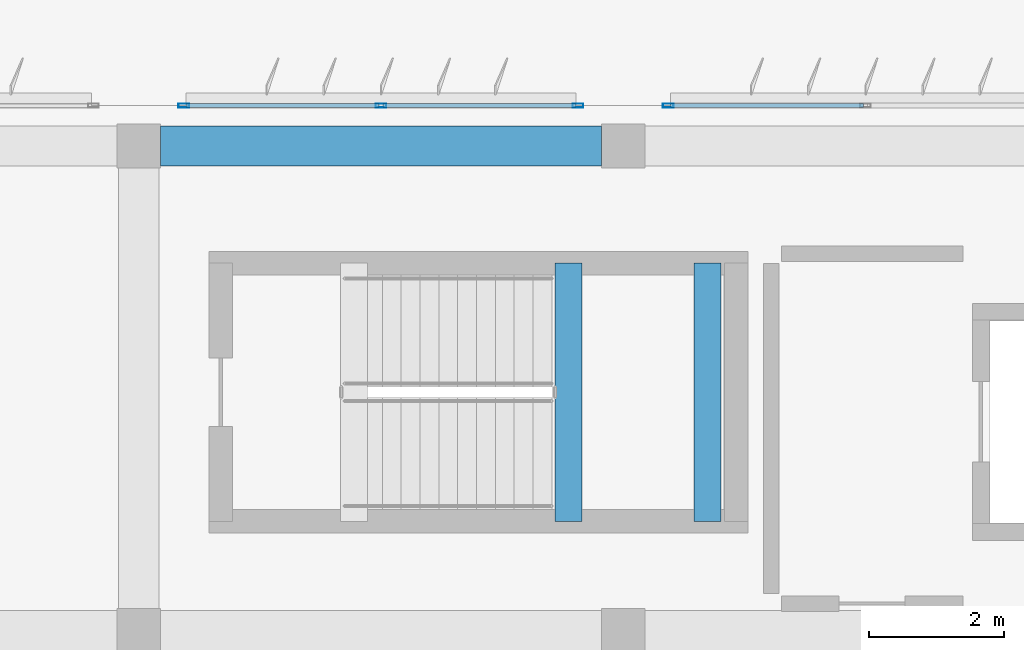
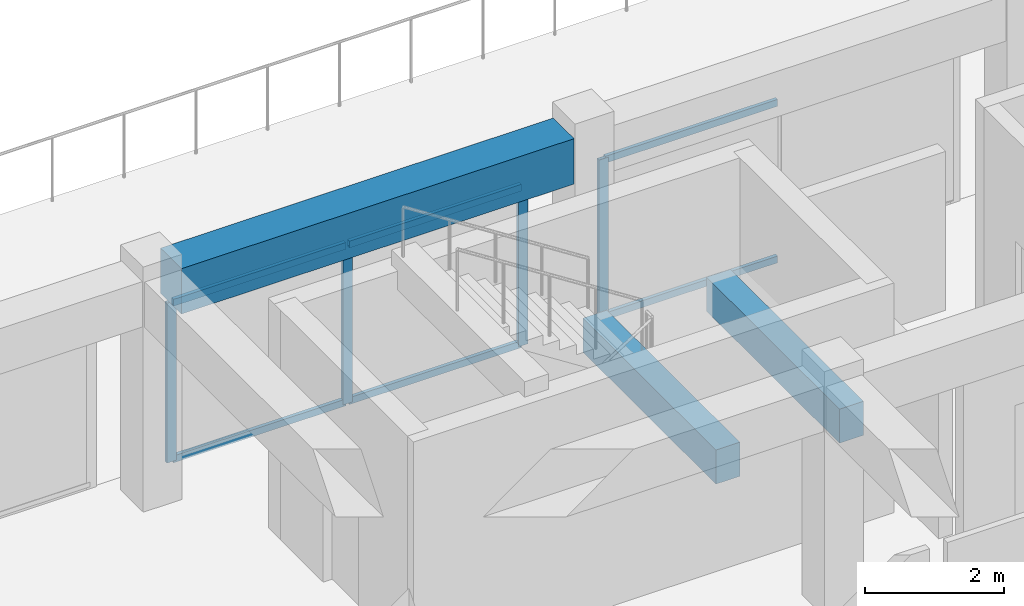
# One storey, part 11 of 42: 10 members, 3 beams, 2 elements without a shape of their own.
"""IFC4 building model written with IfcOpenShell, lengths in metres."""

from ifc_helpers import new_model, si_unit, direction, frame, origin, origin_2d, place, context, subcontext, project, spatial, rectangle, hollow_rectangle, extrude, material, material_profile, profile_set, type_object, element, aggregate, save


model = new_model("IFC4")

# Units and contexts
model_context = context("Model", 3, precision=1e-05, world=origin(), true_north=direction((0.0, 1.0)))
body_context = subcontext(model_context, "Body", "Model", "MODEL_VIEW")
ifc_project = project(units=[si_unit("LENGTHUNIT", "METRE"), si_unit("AREAUNIT", "SQUARE_METRE"), si_unit("VOLUMEUNIT", "CUBIC_METRE"), si_unit("PLANEANGLEUNIT", "RADIAN"), si_unit("MASSUNIT", "GRAM", prefix="KILO")], contexts=[model_context])

# Site, building, storey
site_placement = place(None, origin())
site = spatial("IfcSite", under=ifc_project, at=site_placement, CompositionType="ELEMENT")
building_placement = place(site_placement, origin())
building = spatial("IfcBuilding", under=site, at=building_placement, Name="Kazehaya Institute of Natural Sciences", CompositionType="ELEMENT")
storey_placement = place(building_placement, frame((0.0, 0.0, 37.6201171875)))
storey = spatial("IfcBuildingStorey", under=building, at=storey_placement, Name="L08", CompositionType="ELEMENT", Elevation=37.6201171875)

# Beams
ifc_material_1 = material(Name="Concrete Fc36", Category="concrete")
ifc_material_profile_1 = material_profile(ifc_material_1, rectangle(XDim=0.39990234375, YDim=0.60009765625, at=origin_2d()), Name="RC-400x600")
ifc_profile_set_1 = profile_set([ifc_material_profile_1], Name="Concrete Fc36")
beam_type_1 = type_object("IfcBeamType", Name="BM-B-400x600", PredefinedType="BEAM", material=ifc_profile_set_1)
for number, where, z_axis, x_axis, name in (
    (1, (68.18994140625, 22.820068359375, 1.699951171875), (0.0, 1.0, 0.0), (-1.0, 0.0, 0.0), "L08 ST-1 landing beam 1"),
    (2, (70.25, 22.820068359375, 1.699951171875), (0.0, 1.0, 0.0), (-1.0, 0.0, 0.0), "L08 ST-1 landing beam 2"),
):
    element("IfcBeam", number, at=place(storey_placement, frame(where, z_axis=z_axis, x_axis=x_axis)), inside=storey, type_object=beam_type_1, Name=name, PredefinedType="BEAM", context=body_context, shape_type="SweptSolid", body=[
        extrude(rectangle(XDim=0.39990234375, YDim=0.60009765625, at=origin_2d()), origin(), (0.0, 0.0, 1.0), 3.83984375),
    ])
ifc_material_profile_2 = material_profile(ifc_material_1, rectangle(XDim=0.60009765625, YDim=0.800048828125, at=origin_2d()), Name="RC-600x800")
ifc_profile_set_2 = profile_set([ifc_material_profile_2], Name="Concrete Fc36")
beam_type_2 = type_object("IfcBeamType", Name="BM-G-600x800", PredefinedType="BEAM", material=ifc_profile_set_2)
beam_placement = place(storey_placement, frame((62.125, 28.39990234375, 3.64990234375), z_axis=(1.0, 0.0, 0.0), x_axis=(0.0, 1.0, 0.0)))
element("IfcBeam", 3, at=beam_placement, inside=storey, type_object=beam_type_2, Name="L08 primary X girder BMX-L08-618-284", PredefinedType="BEAM", context=body_context, shape_type="SweptSolid", body=[
    extrude(rectangle(XDim=0.60009765625, YDim=0.800048828125, at=origin_2d()), origin(), (0.0, 0.0, 1.0), 6.550048828125),
])

# Curtain wall, members
ifc_material_2 = material(Name="Aluminium alloy A6063S-T5", Category="aluminium")
curtain_wall_type = type_object("IfcCurtainWallType", Name="CW-SYS-05", PredefinedType="NOTDEFINED", material=ifc_material_2)
curtain_wall_1_placement = place(storey_placement, origin())
curtain_wall_1 = element("IfcCurtainWall", 4, at=curtain_wall_1_placement, inside=storey, type_object=curtain_wall_type, Name="L08 unitised curtain wall CW-L08-186", PredefinedType="NOTDEFINED")
ifc_material_profile_3 = material_profile(ifc_material_2, hollow_rectangle(XDim=0.06005859375, YDim=0.159912109375, WallThickness=0.00390625, at=origin_2d()), Name="ALU-60x160x4")
ifc_profile_set_3 = profile_set([ifc_material_profile_3], Name="Aluminium alloy A6063S-T5")
member_type_1 = type_object("IfcMemberType", Name="CWM-160", PredefinedType="MULLION", material=ifc_profile_set_3)
member_1_placement = place(storey_placement, frame((62.469970703125, 29.0, 0.0), z_axis=(0.0, 0.0, 1.0), x_axis=(0.0, 1.0, 0.0)))
member_1 = element("IfcMember", 5, at=member_1_placement, type_object=member_type_1, Name="CW05 mullion 1", PredefinedType="MULLION", context=body_context, shape_type="SweptSolid", body=[
    extrude(hollow_rectangle(XDim=0.06005859375, YDim=0.159912109375, WallThickness=0.00390625, at=origin_2d()), origin(), (0.0, 0.0, 1.0), 2.81982421875),
])
member_2_placement = place(storey_placement, frame((65.39990234375, 29.0, 0.0), z_axis=(0.0, 0.0, 1.0), x_axis=(0.0, 1.0, 0.0)))
member_2 = element("IfcMember", 6, at=member_2_placement, type_object=member_type_1, Name="CW05 mullion 2", PredefinedType="MULLION", context=body_context, shape_type="SweptSolid", body=[
    extrude(hollow_rectangle(XDim=0.06005859375, YDim=0.159912109375, WallThickness=0.00390625, at=origin_2d()), origin(), (0.0, 0.0, 1.0), 2.81982421875),
])
member_3_placement = place(storey_placement, frame((68.330078125, 29.0, 0.0), z_axis=(0.0, 0.0, 1.0), x_axis=(0.0, 1.0, 0.0)))
member_3 = element("IfcMember", 7, at=member_3_placement, type_object=member_type_1, Name="CW05 mullion 3", PredefinedType="MULLION", context=body_context, shape_type="SweptSolid", body=[
    extrude(hollow_rectangle(XDim=0.06005859375, YDim=0.159912109375, WallThickness=0.00390625, at=origin_2d()), origin(), (0.0, 0.0, 1.0), 2.81982421875),
])

# Curtain wall, member
curtain_wall_2_placement = place(storey_placement, origin())
curtain_wall_2 = element("IfcCurtainWall", 8, at=curtain_wall_2_placement, inside=storey, type_object=curtain_wall_type, Name="L08 unitised curtain wall CW-L08-187", PredefinedType="NOTDEFINED")
member_4_placement = place(storey_placement, frame((69.669921875, 29.0, 0.0), z_axis=(0.0, 0.0, 1.0), x_axis=(0.0, 1.0, 0.0)))
member_4 = element("IfcMember", 9, at=member_4_placement, type_object=member_type_1, Name="CW05 mullion 1", PredefinedType="MULLION", context=body_context, shape_type="SweptSolid", body=[
    extrude(hollow_rectangle(XDim=0.06005859375, YDim=0.159912109375, WallThickness=0.00390625, at=origin_2d()), origin(), (0.0, 0.0, 1.0), 2.81982421875),
])

# Member
ifc_material_profile_4 = material_profile(ifc_material_2, hollow_rectangle(XDim=0.06005859375, YDim=0.1201171875, WallThickness=0.00341796875, at=origin_2d()), Name="ALU-60x120x3.5")
ifc_profile_set_4 = profile_set([ifc_material_profile_4], Name="Aluminium alloy A6063S-T5")
member_type_2 = type_object("IfcMemberType", Name="CWT-120", PredefinedType="USERDEFINED", material=ifc_profile_set_4)
member_5_placement = place(storey_placement, frame((62.5, 29.0, 0.02978515625), z_axis=(1.0, 0.0, 0.0), x_axis=(0.0, 1.0, 0.0)))
member_5 = element("IfcMember", 10, at=member_5_placement, type_object=member_type_2, Name="CW05 transom 1.1", ObjectType="TRANSOM", PredefinedType="USERDEFINED", context=body_context, shape_type="SweptSolid", body=[
    extrude(hollow_rectangle(XDim=0.06005859375, YDim=0.1201171875, WallThickness=0.00341796875, at=origin_2d()), origin(), (0.0, 0.0, 1.0), 2.8701171875),
])

member_6_placement = place(storey_placement, frame((62.5, 29.0, 2.789794921875), z_axis=(1.0, 0.0, 0.0), x_axis=(0.0, 1.0, 0.0)))
member_6 = element("IfcMember", 11, at=member_6_placement, type_object=member_type_2, Name="CW05 transom 1.2", ObjectType="TRANSOM", PredefinedType="USERDEFINED", context=body_context, shape_type="SweptSolid", body=[
    extrude(hollow_rectangle(XDim=0.06005859375, YDim=0.1201171875, WallThickness=0.00341796875, at=origin_2d()), origin(), (0.0, 0.0, 1.0), 2.8701171875),
])

member_7_placement = place(storey_placement, frame((65.429931640625, 29.0, 0.02978515625), z_axis=(1.0, 0.0, 0.0), x_axis=(0.0, 1.0, 0.0)))
member_7 = element("IfcMember", 12, at=member_7_placement, type_object=member_type_2, Name="CW05 transom 2.1", ObjectType="TRANSOM", PredefinedType="USERDEFINED", context=body_context, shape_type="SweptSolid", body=[
    extrude(hollow_rectangle(XDim=0.06005859375, YDim=0.1201171875, WallThickness=0.00341796875, at=origin_2d()), origin(), (0.0, 0.0, 1.0), 2.8701171875),
])

member_8_placement = place(storey_placement, frame((65.429931640625, 29.0, 2.789794921875), z_axis=(1.0, 0.0, 0.0), x_axis=(0.0, 1.0, 0.0)))
member_8 = element("IfcMember", 13, at=member_8_placement, type_object=member_type_2, Name="CW05 transom 2.2", ObjectType="TRANSOM", PredefinedType="USERDEFINED", context=body_context, shape_type="SweptSolid", body=[
    extrude(hollow_rectangle(XDim=0.06005859375, YDim=0.1201171875, WallThickness=0.00341796875, at=origin_2d()), origin(), (0.0, 0.0, 1.0), 2.8701171875),
])

aggregate(curtain_wall_1, [member_1, member_2, member_3, member_5, member_6, member_7, member_8])

member_9_placement = place(storey_placement, frame((69.699951171875, 29.0, 0.02978515625), z_axis=(1.0, 0.0, 0.0), x_axis=(0.0, 1.0, 0.0)))
member_9 = element("IfcMember", 14, at=member_9_placement, type_object=member_type_2, Name="CW05 transom 1.1", ObjectType="TRANSOM", PredefinedType="USERDEFINED", context=body_context, shape_type="SweptSolid", body=[
    extrude(hollow_rectangle(XDim=0.06005859375, YDim=0.1201171875, WallThickness=0.00341796875, at=origin_2d()), origin(), (0.0, 0.0, 1.0), 2.8701171875),
])

member_10_placement = place(storey_placement, frame((69.699951171875, 29.0, 2.789794921875), z_axis=(1.0, 0.0, 0.0), x_axis=(0.0, 1.0, 0.0)))
member_10 = element("IfcMember", 15, at=member_10_placement, type_object=member_type_2, Name="CW05 transom 1.2", ObjectType="TRANSOM", PredefinedType="USERDEFINED", context=body_context, shape_type="SweptSolid", body=[
    extrude(hollow_rectangle(XDim=0.06005859375, YDim=0.1201171875, WallThickness=0.00341796875, at=origin_2d()), origin(), (0.0, 0.0, 1.0), 2.8701171875),
])

aggregate(curtain_wall_2, [member_4, member_9, member_10])

save(model, "model.ifc")
